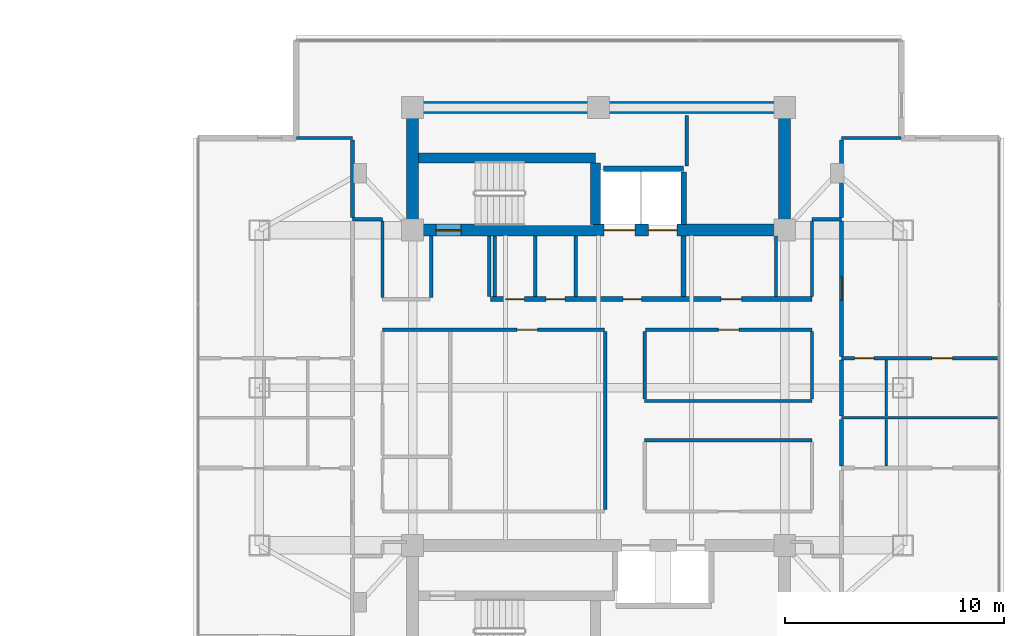
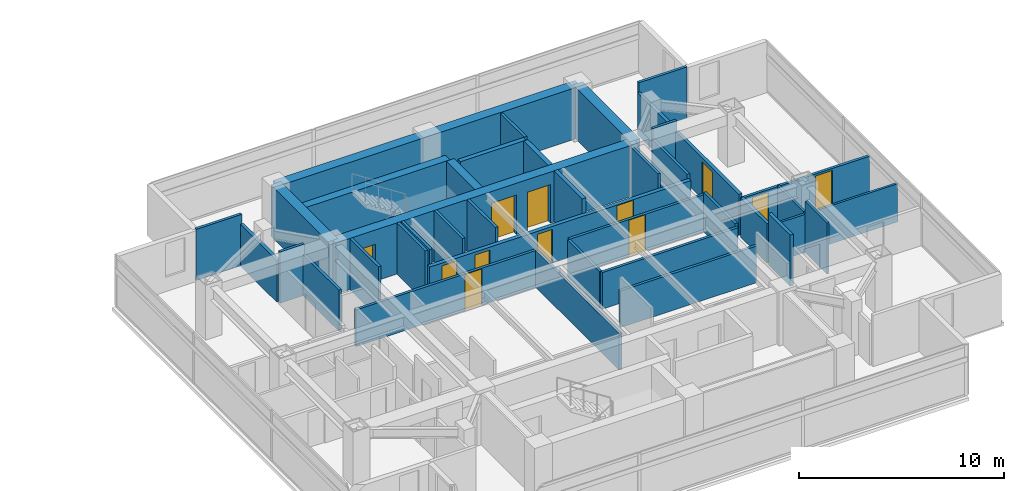
# One storey, part 18 of 25: 39 walls, 12 doors, 12 openings.
"""IFC4 building model written with IfcOpenShell, lengths in metres."""

import ifcopenshell
import ifcopenshell.guid

model = None  # the IFC model being written
_history = None  # IfcOwnerHistory: only IFC2X3 demands one
_inside = {}  # id of a spatial element -> (the spatial element, [elements in it])
_under = {}  # id of a project, library or spatial element -> (it, [spatial elements below it])
_declared = {}  # id of a project -> (the project, [libraries it declares])
_typed = {}  # id of a type object -> (the type object, [elements of that type])
_made_of = {}  # id of a material, layer set ... -> (it, [elements and type objects made of it])


def new_model(schema):
    """Start an empty IFC model of exactly this schema.

    Asked for "IFC4X3", IfcOpenShell would pick the latest addendum, in which some entities
    have other attributes; the version numbers below select the first issue.
    IFC2X3 requires an IfcOwnerHistory on every rooted entity: one is made here for all.
    """
    global model, _history
    if schema == "IFC4X3":
        model = ifcopenshell.file(schema_version=(4, 3, 0, 0))
    else:
        model = ifcopenshell.file(schema=schema)
    _inside.clear()
    _under.clear()
    _declared.clear()
    _typed.clear()
    _made_of.clear()
    _history = None
    if model.schema == "IFC2X3":
        org = make("IfcOrganization", Name="unknown")
        user = make(
            "IfcPersonAndOrganization",
            ThePerson=make("IfcPerson", FamilyName="unknown"),
            TheOrganization=org,
        )
        app = make(
            "IfcApplication",
            ApplicationDeveloper=org,
            Version="unknown",
            ApplicationFullName="unknown",
            ApplicationIdentifier="unknown",
        )
        _history = make(
            "IfcOwnerHistory",
            OwningUser=user,
            OwningApplication=app,
            ChangeAction="ADDED",
            CreationDate=0,
        )
    return model


def make(cls, **values):
    """One entity of the class cls with the attributes given. An attribute that is None is left unset."""
    return model.create_entity(
        cls, **{name: value for name, value in values.items() if value is not None}
    )


def rooted(cls, **values):
    """An entity with a GlobalId (a new one), such as an element, a storey or a relation."""
    return make(cls, GlobalId=ifcopenshell.guid.new(), OwnerHistory=_history, **values)


def si_unit(unit_type, name, prefix=None):
    """IfcSIUnit, for example si_unit("LENGTHUNIT", "METRE", prefix="MILLI")."""
    return make("IfcSIUnit", UnitType=unit_type, Prefix=prefix, Name=name)


def assignment(units):
    """IfcUnitAssignment: the units of a project."""
    return None if units is None else make("IfcUnitAssignment", Units=units)


def point(xyz):
    """IfcCartesianPoint."""
    return None if xyz is None else make("IfcCartesianPoint", Coordinates=xyz)


def direction(xyz):
    """IfcDirection."""
    return None if xyz is None else make("IfcDirection", DirectionRatios=xyz)


def frame(location, z_axis=None, x_axis=None):
    """IfcAxis2Placement3D, a coordinate frame: its origin and axes. An axis left out is left unset."""
    return make(
        "IfcAxis2Placement3D",
        Location=point(location),
        Axis=direction(z_axis),
        RefDirection=direction(x_axis),
    )


def frame_2d(location, x_axis=None):
    """IfcAxis2Placement2D, a coordinate frame in the plane: its origin and x axis."""
    return make(
        "IfcAxis2Placement2D", Location=point(location), RefDirection=direction(x_axis)
    )


def origin():
    """The frame at (0, 0, 0) with its axes left unset."""
    return frame((0.0, 0.0, 0.0))


def place(relative_to, where):
    """IfcLocalPlacement: puts the frame where relative to a parent placement (None: the world)."""
    return make(
        "IfcLocalPlacement", PlacementRelTo=relative_to, RelativePlacement=where
    )


def context(
    kind, dimensions, precision=None, world=None, true_north=None, identifier=None
):
    """IfcGeometricRepresentationContext, for example the 3D "Model" context."""
    return make(
        "IfcGeometricRepresentationContext",
        ContextIdentifier=identifier,
        ContextType=kind,
        CoordinateSpaceDimension=dimensions,
        Precision=precision,
        WorldCoordinateSystem=world,
        TrueNorth=true_north,
    )


def subcontext(parent, identifier, kind, view, scale=None):
    """IfcGeometricRepresentationSubContext, for example "Body" below "Model"."""
    return make(
        "IfcGeometricRepresentationSubContext",
        ContextIdentifier=identifier,
        ContextType=kind,
        ParentContext=parent,
        TargetScale=scale,
        TargetView=view,
    )


def project(units=None, contexts=None):
    """IfcProject with its units and contexts."""
    return rooted(
        "IfcProject",
        Name="project",
        RepresentationContexts=contexts,
        UnitsInContext=assignment(units),
    )


def spatial(cls, under=None, at=None, **own):
    """A site, building, storey or space (cls), placed at a placement, below another one or the project."""
    s = rooted(cls, ObjectPlacement=at, **own)
    if under is not None:
        _under.setdefault(under.id(), (under, []))[1].append(s)
    return s


def profile(cls, at=None, kind="AREA", **sizes):
    """A parametric profile (cls). Its sizes go by their IFC names, for example OverallWidth=200.0."""
    return make(cls, ProfileType=kind, Position=at, **sizes)


def rectangle(**sizes):
    """IfcRectangleProfileDef."""
    return profile("IfcRectangleProfileDef", **sizes)


def extrude(swept, where, along, depth):
    """IfcExtrudedAreaSolid: the profile swept, set in the frame where, extruded along a direction by depth."""
    return make(
        "IfcExtrudedAreaSolid",
        SweptArea=swept,
        Position=where,
        ExtrudedDirection=direction(along),
        Depth=depth,
    )


def shape(context_of_items, identifier, shape_type, items):
    """IfcShapeRepresentation: the items that make up one representation, for example the "Body"."""
    return make(
        "IfcShapeRepresentation",
        ContextOfItems=context_of_items,
        RepresentationIdentifier=identifier,
        RepresentationType=shape_type,
        Items=items,
    )


def material(Name=None, Category=None):
    """IfcMaterial."""
    return make("IfcMaterial", Name=Name, Category=Category)


def layer(
    of_material, thickness, ventilated=None, Name=None, Category=None, Priority=None
):
    """IfcMaterialLayer: one layer of a wall or slab, of a material (None: an air gap)."""
    return make(
        "IfcMaterialLayer",
        Material=of_material,
        LayerThickness=thickness,
        IsVentilated=ventilated,
        Name=Name,
        Category=Category,
        Priority=Priority,
    )


def layer_set(layers, Name=None):
    """IfcMaterialLayerSet."""
    return make("IfcMaterialLayerSet", MaterialLayers=layers, LayerSetName=Name)


def made_of(thing, what):
    """Note that an element or type object is made of a material, layer set ...; save() writes the relation."""
    if what is not None:
        _made_of.setdefault(what.id(), (what, []))[1].append(thing)
    return thing


def type_object(cls, material=None, **own):
    """A type object (cls), such as IfcWallType, which elements share."""
    return made_of(rooted(cls, **own), material)


def element(
    cls,
    number,
    at=None,
    inside=None,
    cuts=None,
    type_object=None,
    material=None,
    context=None,
    identifier="Body",
    shape_type=None,
    held_by="IfcProductDefinitionShape",
    body=None,
    shapes=None,
    **own,
):
    """One element of the class cls, such as IfcWall. Its Tag is "e" and its number.

    at: its placement. inside: the storey or other place that contains it. cuts: it is an
    opening in that element (IfcRelVoidsElement). A single representation is given by context,
    identifier, shape_type and body (its items); several are given by shapes. held_by: the class
    of the entity that holds the representations. save() writes the other relations.
    """
    e = rooted(cls, Tag="e%d" % number, ObjectPlacement=at, **own)
    if body is not None:
        shapes = [shape(context, identifier, shape_type, body)]
    if shapes is not None:
        e.Representation = make(held_by, Representations=shapes)
    if inside is not None:
        _inside.setdefault(inside.id(), (inside, []))[1].append(e)
    if cuts is not None:
        rooted(
            "IfcRelVoidsElement", RelatingBuildingElement=cuts, RelatedOpeningElement=e
        )
    if type_object is not None:
        _typed.setdefault(type_object.id(), (type_object, []))[1].append(e)
    return made_of(e, material)


def fill(opening, filler):
    """IfcRelFillsElement: the door or window that sits in an opening."""
    return rooted(
        "IfcRelFillsElement",
        RelatingOpeningElement=opening,
        RelatedBuildingElement=filler,
    )


def aggregate(whole, parts):
    """IfcRelAggregates: a whole, such as a stair, and the parts it consists of."""
    return rooted("IfcRelAggregates", RelatingObject=whole, RelatedObjects=parts)


def save(model, path):
    """Write the relations noted so far, then the file.

    IfcRelAggregates (storeys below a building ...), IfcRelContainedInSpatialStructure (elements
    in a storey), IfcRelDefinesByType, IfcRelAssociatesMaterial and IfcRelDeclares: one each for
    every whole, place, type object, material and project.
    """
    for whole, parts in _under.values():
        aggregate(whole, parts)
    for where, things in _inside.values():
        rooted(
            "IfcRelContainedInSpatialStructure",
            RelatedElements=things,
            RelatingStructure=where,
        )
    for kind, things in _typed.values():
        rooted("IfcRelDefinesByType", RelatedObjects=things, RelatingType=kind)
    for what, things in _made_of.values():
        rooted("IfcRelAssociatesMaterial", RelatedObjects=things, RelatingMaterial=what)
    for by, libraries in _declared.values():
        rooted("IfcRelDeclares", RelatingContext=by, RelatedDefinitions=libraries)
    model.write(path)


model = new_model("IFC4")

# Units and contexts
model_context = context("Model", 3, precision=1e-05, world=origin(), true_north=direction((0.0, 1.0)))
body_context = subcontext(model_context, "Body", "Model", "MODEL_VIEW")
ifc_project = project(units=[si_unit("LENGTHUNIT", "METRE"), si_unit("AREAUNIT", "SQUARE_METRE"), si_unit("VOLUMEUNIT", "CUBIC_METRE"), si_unit("PLANEANGLEUNIT", "RADIAN"), si_unit("MASSUNIT", "GRAM", prefix="KILO")], contexts=[model_context])

# Site, building, storey
site_placement = place(None, origin())
site = spatial("IfcSite", under=ifc_project, at=site_placement, CompositionType="ELEMENT")
building_placement = place(site_placement, origin())
building = spatial("IfcBuilding", under=site, at=building_placement, Name="Mirazonda Arch Towers", CompositionType="ELEMENT")
storey_placement = place(building_placement, frame((0.0, 0.0, 177.14990234375)))
storey = spatial("IfcBuildingStorey", under=building, at=storey_placement, Name="L50", CompositionType="ELEMENT", Elevation=177.14990234375)

# Walls
ifc_material_1 = material(Name="Concrete C50/60", Category="concrete")
ifc_layer_1 = layer(ifc_material_1, 0.449951171875, Name="WALL-CORE-450")
ifc_layer_set_1 = layer_set([ifc_layer_1], Name="Concrete C50/60")
wall_type_1 = type_object("IfcWallType", Name="WALL-CORE-450", PredefinedType="SHEAR", material=ifc_layer_set_1)
wall_1_placement = place(storey_placement, frame((68.27001953125, 38.5, 0.0), z_axis=(0.0, 0.0, 1.0), x_axis=(1.0, 0.0, 0.0)))
element("IfcWall", 1, at=wall_1_placement, inside=storey, type_object=wall_type_1, Name="L50 Stair Core Shear Wall 056", PredefinedType="SHEAR", context=body_context, shape_type="SweptSolid", body=[
    extrude(rectangle(XDim=8.090087890625, YDim=0.449951171875, at=frame_2d((4.044921875, 0.0))), origin(), (0.0, 0.0, 1.0), 3.050048828125),
])
wall_2_placement = place(storey_placement, frame((76.360107421875, 35.469970703125, 0.0), z_axis=(0.0, 0.0, 1.0), x_axis=(0.0, 1.0, 0.0)))
element("IfcWall", 2, at=wall_2_placement, inside=storey, type_object=wall_type_1, Name="L50 Stair Core Shear Wall 159", PredefinedType="SHEAR", context=body_context, shape_type="SweptSolid", body=[
    extrude(rectangle(XDim=2.794921875, YDim=0.449951171875, at=frame_2d((1.3974609375, 0.0))), origin(), (0.0, 0.0, 1.0), 3.050048828125),
])
ifc_layer_2 = layer(ifc_material_1, 0.550048828125, Name="WALL-CORE-550")
ifc_layer_set_2 = layer_set([ifc_layer_2], Name="Concrete C50/60")
wall_type_2 = type_object("IfcWallType", Name="WALL-CORE-550", PredefinedType="SHEAR", material=ifc_layer_set_2)
wall_3_placement = place(storey_placement, frame((68.0, 40.800048828125, 0.0), z_axis=(0.0, 0.0, 1.0), x_axis=(1.0, 0.0, 0.0)))
element("IfcWall", 3, at=wall_3_placement, inside=storey, type_object=wall_type_2, Name="L50 T2N-N Core Shear Wall", PredefinedType="SHEAR", context=body_context, shape_type="SweptSolid", body=[
    extrude(rectangle(XDim=17.0, YDim=0.550048828125, at=frame_2d((8.5, 0.0))), origin(), (0.0, 0.0, 1.0), 3.050048828125),
])
for number, where, z_axis, x_axis, name in (
    (4, (68.0, 35.199951171875, 0.0), (0.0, 0.0, 1.0), (0.0, 1.0, 0.0), "L50 T2N-W Core Shear Wall"),
    (5, (85.0, 35.199951171875, 0.0), (0.0, 0.0, 1.0), (0.0, 1.0, 0.0), "L50 T2N-E Core Shear Wall"),
):
    element("IfcWall", number, at=place(storey_placement, frame(where, z_axis=z_axis, x_axis=x_axis)), inside=storey, type_object=wall_type_2, Name=name, PredefinedType="SHEAR", context=body_context, shape_type="SweptSolid", body=[
        extrude(rectangle(XDim=5.60009765625, YDim=0.550048828125, at=frame_2d((2.800048828125, 0.0))), origin(), (0.0, 0.0, 1.0), 3.050048828125),
    ])

# Wall, openings, doors
wall_4_placement = place(storey_placement, frame((68.0, 35.199951171875, 0.0), z_axis=(0.0, 0.0, 1.0), x_axis=(1.0, 0.0, 0.0)))
wall_4 = element("IfcWall", 6, at=wall_4_placement, inside=storey, type_object=wall_type_2, Name="L50 T2N-S Core Shear Wall", PredefinedType="SHEAR", context=body_context, shape_type="SweptSolid", body=[
    extrude(rectangle(XDim=17.0, YDim=0.550048828125, at=frame_2d((8.5, 0.0))), origin(), (0.0, 0.0, 1.0), 3.050048828125),
])
opening_1_placement = place(wall_4_placement, frame((1.06005859375, 0.0, 0.0)))
opening_1 = element("IfcOpeningElement", 7, at=opening_1_placement, cuts=wall_4, Name="Opening DR-135", PredefinedType="OPENING", context=body_context, shape_type="SweptSolid", body=[
    extrude(rectangle(XDim=1.14990234375, YDim=2.199951171875, at=frame_2d((0.574951171875, 1.10009765625))), frame((0.0, 0.284912109375, 0.0), z_axis=(0.0, -1.0, 0.0), x_axis=(1.0, 0.0, 0.0)), (0.0, 0.0, 1.0), 0.570068359375),
])
opening_2_placement = place(wall_4_placement, frame((8.75, 0.0, 0.0)))
opening_2 = element("IfcOpeningElement", 8, at=opening_2_placement, cuts=wall_4, Name="Opening LD-112", PredefinedType="OPENING", context=body_context, shape_type="SweptSolid", body=[
    extrude(rectangle(XDim=1.39990234375, YDim=2.35009765625, at=frame_2d((0.699951171875, 1.175048828125))), frame((0.0, 0.284912109375, 0.0), z_axis=(0.0, -1.0, 0.0), x_axis=(1.0, 0.0, 0.0)), (0.0, 0.0, 1.0), 0.570068359375),
])
opening_3_placement = place(wall_4_placement, frame((10.77001953125, 0.0, 0.0)))
opening_3 = element("IfcOpeningElement", 9, at=opening_3_placement, cuts=wall_4, Name="Opening LD-111", PredefinedType="OPENING", context=body_context, shape_type="SweptSolid", body=[
    extrude(rectangle(XDim=1.300048828125, YDim=2.300048828125, at=frame_2d((0.64990234375, 1.14990234375))), frame((0.0, 0.284912109375, 0.0), z_axis=(0.0, -1.0, 0.0), x_axis=(1.0, 0.0, 0.0)), (0.0, 0.0, 1.0), 0.570068359375),
])
ifc_material_2 = material(Name="Architectural Brushed Steel S355", Category="steel")
door_type_1 = type_object("IfcDoorType", Name="DOOR-LIFT-FFL-1400", OperationType="NOTDEFINED", PredefinedType="DOOR", material=ifc_material_2)
door_1_placement = place(opening_2_placement, origin())
door_1 = element("IfcDoor", 10, at=door_1_placement, inside=storey, type_object=door_type_1, Name="L50 Lift Landing Sliding Door FFL-T2", OperationType="DOUBLE_DOOR_SLIDING", OverallHeight=2.35009765625, OverallWidth=1.39990234375, PredefinedType="DOOR", context=body_context, shape_type="SweptSolid", body=[
    extrude(rectangle(XDim=1.39990234375, YDim=2.35009765625, at=frame_2d((0.699951171875, 1.175048828125))), frame((0.0, 0.02490234375, 0.0), z_axis=(0.0, -1.0, 0.0), x_axis=(1.0, 0.0, 0.0)), (0.0, 0.0, 1.0), 0.050048828125),
])
fill(opening_2, door_1)
door_type_2 = type_object("IfcDoorType", Name="DOOR-LIFT-LAND-1300", OperationType="NOTDEFINED", PredefinedType="DOOR", material=ifc_material_2)
door_2_placement = place(opening_3_placement, origin())
door_2 = element("IfcDoor", 11, at=door_2_placement, inside=storey, type_object=door_type_2, Name="L50 Lift Landing Sliding Door SVL-T2", OperationType="DOUBLE_DOOR_SLIDING", OverallHeight=2.300048828125, OverallWidth=1.300048828125, PredefinedType="DOOR", context=body_context, shape_type="SweptSolid", body=[
    extrude(rectangle(XDim=1.300048828125, YDim=2.300048828125, at=frame_2d((0.64990234375, 1.14990234375))), frame((0.0, 0.02490234375, 0.0), z_axis=(0.0, -1.0, 0.0), x_axis=(1.0, 0.0, 0.0)), (0.0, 0.0, 1.0), 0.050048828125),
])
fill(opening_3, door_2)
door_type_3 = type_object("IfcDoorType", Name="DOOR-STAIR-FD90-1150", OperationType="NOTDEFINED", PredefinedType="DOOR", material=ifc_material_2)
door_3_placement = place(opening_1_placement, origin())
door_3 = element("IfcDoor", 12, at=door_3_placement, inside=storey, type_object=door_type_3, Name="L50 East Protected Stair North Door", OperationType="SINGLE_SWING_LEFT", OverallHeight=2.199951171875, OverallWidth=1.14990234375, PredefinedType="DOOR", context=body_context, shape_type="SweptSolid", body=[
    extrude(rectangle(XDim=1.14990234375, YDim=2.199951171875, at=frame_2d((0.574951171875, 1.10009765625))), frame((0.0, 0.02490234375, 0.0), z_axis=(0.0, -1.0, 0.0), x_axis=(1.0, 0.0, 0.0)), (0.0, 0.0, 1.0), 0.050048828125),
])
fill(opening_1, door_3)

ifc_material_3 = material(Name="Concrete C40/50", Category="concrete")
ifc_layer_3 = layer(ifc_material_3, 0.219970703125, Name="WALL-FFL-220")
ifc_layer_set_3 = layer_set([ifc_layer_3], Name="Concrete C40/50")
wall_type_3 = type_object("IfcWallType", Name="WALL-FFL-220", PredefinedType="SOLIDWALL", material=ifc_layer_set_3)
wall_5_placement = place(storey_placement, frame((71.550048828125, 32.050048828125, 0.0), z_axis=(0.0, 0.0, 1.0), x_axis=(1.0, 0.0, 0.0)))
wall_5 = element("IfcWall", 13, at=wall_5_placement, inside=storey, type_object=wall_type_3, Name="L50 Interior Partition 045", PredefinedType="SOLIDWALL", context=body_context, shape_type="SweptSolid", body=[
    extrude(rectangle(XDim=14.699951171875, YDim=0.219970703125, at=frame_2d((7.35009765625, 0.0))), origin(), (0.0, 0.0, 1.0), 2.18603515625),
])
opening_4_placement = place(wall_5_placement, frame((6.06494140625, 0.0, 0.0)))
opening_4 = element("IfcOpeningElement", 14, at=opening_4_placement, cuts=wall_5, Name="Opening DR-128", PredefinedType="OPENING", context=body_context, shape_type="SweptSolid", body=[
    extrude(rectangle(XDim=0.85009765625, YDim=2.010009765625, at=frame_2d((0.425048828125, 1.0048828125))), frame((0.0, 0.119873046875, 0.0), z_axis=(0.0, -1.0, 0.0), x_axis=(1.0, 0.0, 0.0)), (0.0, 0.0, 1.0), 0.239990234375),
])
opening_5_placement = place(wall_5_placement, frame((10.534912109375, 0.0, 0.0)))
opening_5 = element("IfcOpeningElement", 15, at=opening_5_placement, cuts=wall_5, Name="Opening DR-104", PredefinedType="OPENING", context=body_context, shape_type="SweptSolid", body=[
    extrude(rectangle(XDim=0.949951171875, YDim=2.14990234375, at=frame_2d((0.47509765625, 1.074951171875))), frame((0.0, 0.119873046875, 0.0), z_axis=(0.0, -1.0, 0.0), x_axis=(1.0, 0.0, 0.0)), (0.0, 0.0, 1.0), 0.239990234375),
])
opening_6_placement = place(wall_5_placement, frame((0.699951171875, 0.0, 0.0)))
opening_6 = element("IfcOpeningElement", 16, at=opening_6_placement, cuts=wall_5, Name="Opening DR-128", PredefinedType="OPENING", context=body_context, shape_type="SweptSolid", body=[
    extrude(rectangle(XDim=0.85009765625, YDim=2.010009765625, at=frame_2d((0.425048828125, 1.0048828125))), frame((0.0, 0.119873046875, 0.0), z_axis=(0.0, -1.0, 0.0), x_axis=(1.0, 0.0, 0.0)), (0.0, 0.0, 1.0), 0.239990234375),
])
opening_7_placement = place(wall_5_placement, frame((2.550048828125, 0.0, 0.0)))
opening_7 = element("IfcOpeningElement", 17, at=opening_7_placement, cuts=wall_5, Name="Opening DR-128", PredefinedType="OPENING", context=body_context, shape_type="SweptSolid", body=[
    extrude(rectangle(XDim=0.85009765625, YDim=2.010009765625, at=frame_2d((0.425048828125, 1.0048828125))), frame((0.0, 0.119873046875, 0.0), z_axis=(0.0, -1.0, 0.0), x_axis=(1.0, 0.0, 0.0)), (0.0, 0.0, 1.0), 0.239990234375),
])
door_type_4 = type_object("IfcDoorType", Name="DOOR-RISER-FD60-850", OperationType="NOTDEFINED", PredefinedType="DOOR", material=ifc_material_2)
door_4_placement = place(opening_4_placement, origin())
door_4 = element("IfcDoor", 18, at=door_4_placement, inside=storey, type_object=door_type_4, Name="L50 East Firefighting Lift Lobby Door", OperationType="SINGLE_SWING_RIGHT", OverallHeight=2.010009765625, OverallWidth=0.85009765625, PredefinedType="DOOR", context=body_context, shape_type="SweptSolid", body=[
    extrude(rectangle(XDim=0.85009765625, YDim=2.010009765625, at=frame_2d((0.425048828125, 1.0048828125))), frame((0.0, 0.02490234375, 0.0), z_axis=(0.0, -1.0, 0.0), x_axis=(1.0, 0.0, 0.0)), (0.0, 0.0, 1.0), 0.050048828125),
])
fill(opening_4, door_4)
door_5_placement = place(opening_6_placement, origin())
door_5 = element("IfcDoor", 19, at=door_5_placement, inside=storey, type_object=door_type_4, Name="L50 Tower 2 Electrical Room Door", OperationType="SINGLE_SWING_RIGHT", OverallHeight=2.010009765625, OverallWidth=0.85009765625, PredefinedType="DOOR", context=body_context, shape_type="SweptSolid", body=[
    extrude(rectangle(XDim=0.85009765625, YDim=2.010009765625, at=frame_2d((0.425048828125, 1.0048828125))), frame((0.0, 0.02490234375, 0.0), z_axis=(0.0, -1.0, 0.0), x_axis=(1.0, 0.0, 0.0)), (0.0, 0.0, 1.0), 0.050048828125),
])
fill(opening_6, door_5)
door_6_placement = place(opening_7_placement, origin())
door_6 = element("IfcDoor", 20, at=door_6_placement, inside=storey, type_object=door_type_4, Name="L50 Tower 2 Cleaners Store Door", OperationType="SINGLE_SWING_LEFT", OverallHeight=2.010009765625, OverallWidth=0.85009765625, PredefinedType="DOOR", context=body_context, shape_type="SweptSolid", body=[
    extrude(rectangle(XDim=0.85009765625, YDim=2.010009765625, at=frame_2d((0.425048828125, 1.0048828125))), frame((0.0, 0.02490234375, 0.0), z_axis=(0.0, -1.0, 0.0), x_axis=(1.0, 0.0, 0.0)), (0.0, 0.0, 1.0), 0.050048828125),
])
fill(opening_7, door_6)
door_type_5 = type_object("IfcDoorType", Name="DOOR-ROOM-950", OperationType="NOTDEFINED", PredefinedType="DOOR", material=ifc_material_2)
door_7_placement = place(opening_5_placement, origin())
door_7 = element("IfcDoor", 21, at=door_7_placement, inside=storey, type_object=door_type_5, Name="L50 East Sky Reading Library Door", OperationType="SINGLE_SWING_LEFT", OverallHeight=2.14990234375, OverallWidth=0.949951171875, PredefinedType="DOOR", context=body_context, shape_type="SweptSolid", body=[
    extrude(rectangle(XDim=0.949951171875, YDim=2.14990234375, at=frame_2d((0.47509765625, 1.074951171875))), frame((0.0, 0.02490234375, 0.0), z_axis=(0.0, -1.0, 0.0), x_axis=(1.0, 0.0, 0.0)), (0.0, 0.0, 1.0), 0.050048828125),
])
fill(opening_5, door_7)

# Walls
wall_6_placement = place(storey_placement, frame((80.3798828125, 32.169921875, 0.0), z_axis=(0.0, 0.0, 1.0), x_axis=(0.0, 1.0, 0.0)))
element("IfcWall", 22, at=wall_6_placement, inside=storey, type_object=wall_type_3, Name="L50 Interior Partition 164", PredefinedType="SOLIDWALL", context=body_context, shape_type="SweptSolid", body=[
    extrude(rectangle(XDim=2.760009765625, YDim=0.219970703125, at=frame_2d((1.3798828125, 0.0))), origin(), (0.0, 0.0, 1.0), 3.050048828125),
])
ifc_material_4 = material(Name="Fire-Rated Gypsum Stud Partition")
ifc_layer_4 = layer(ifc_material_4, 0.14990234375, Name="WALL-PART-CORR-150")
ifc_layer_set_4 = layer_set([ifc_layer_4], Name="Fire-Rated Gypsum Stud Partition")
wall_type_4 = type_object("IfcWallType", Name="WALL-PART-CORR-150", PredefinedType="PARTITIONING", material=ifc_layer_set_4)
for number, where, z_axis, x_axis, name in (
    (23, (78.60009765625, 25.60009765625, 0.0), (0.0, 0.0, 1.0), (1.0, 0.0, 0.0), "L50 Interior Partition 031"),
    (24, (78.60009765625, 27.39990234375, 0.0), (0.0, 0.0, 1.0), (1.0, 0.0, 0.0), "L50 Interior Partition 035"),
):
    element("IfcWall", number, at=place(storey_placement, frame(where, z_axis=z_axis, x_axis=x_axis)), inside=storey, type_object=wall_type_4, Name=name, PredefinedType="PARTITIONING", context=body_context, shape_type="SweptSolid", body=[
        extrude(rectangle(XDim=7.64990234375, YDim=0.14990234375, at=frame_2d((3.824951171875, 0.0))), origin(), (0.0, 0.0, 1.0), 2.18603515625),
    ])

# Wall, openings, doors
wall_7_placement = place(storey_placement, frame((87.60009765625, 29.35205078125, 0.0), z_axis=(0.0, 0.0, 1.0), x_axis=(1.0, 0.0, 0.0)))
wall_7 = element("IfcWall", 25, at=wall_7_placement, inside=storey, type_object=wall_type_4, Name="L50 Interior Partition 039", PredefinedType="PARTITIONING", context=body_context, shape_type="SweptSolid", body=[
    extrude(rectangle(XDim=7.198974609375, YDim=0.14990234375, at=frame_2d((3.599609375, 0.0))), origin(), (0.0, 0.0, 1.0), 2.26904296875),
])
opening_8_placement = place(wall_7_placement, frame((4.12451171875, 0.0, 0.0)))
opening_8 = element("IfcOpeningElement", 26, at=opening_8_placement, cuts=wall_7, Name="Opening DR-104", PredefinedType="OPENING", context=body_context, shape_type="SweptSolid", body=[
    extrude(rectangle(XDim=0.949951171875, YDim=2.14990234375, at=frame_2d((0.47509765625, 1.074951171875))), frame((0.0, 0.0849609375, 0.0), z_axis=(0.0, -1.0, 0.0), x_axis=(1.0, 0.0, 0.0)), (0.0, 0.0, 1.0), 0.169921875),
])
opening_9_placement = place(wall_7_placement, frame((0.590087890625, 0.0, 0.0)))
opening_9 = element("IfcOpeningElement", 27, at=opening_9_placement, cuts=wall_7, Name="Opening DR-120", PredefinedType="OPENING", context=body_context, shape_type="SweptSolid", body=[
    extrude(rectangle(XDim=0.89990234375, YDim=2.10009765625, at=frame_2d((0.449951171875, 1.050048828125))), frame((0.0, 0.0849609375, 0.0), z_axis=(0.0, -1.0, 0.0), x_axis=(1.0, 0.0, 0.0)), (0.0, 0.0, 1.0), 0.169921875),
])
door_8_placement = place(opening_8_placement, origin())
door_8 = element("IfcDoor", 28, at=door_8_placement, inside=storey, type_object=door_type_5, Name="L50 Studio 2 Galley Kitchen Door", OperationType="SINGLE_SWING_LEFT", OverallHeight=2.14990234375, OverallWidth=0.949951171875, PredefinedType="DOOR", context=body_context, shape_type="SweptSolid", body=[
    extrude(rectangle(XDim=0.949951171875, YDim=2.14990234375, at=frame_2d((0.47509765625, 1.074951171875))), frame((0.0, 0.02490234375, 0.0), z_axis=(0.0, -1.0, 0.0), x_axis=(1.0, 0.0, 0.0)), (0.0, 0.0, 1.0), 0.050048828125),
])
fill(opening_8, door_8)
door_type_6 = type_object("IfcDoorType", Name="DOOR-WC-900", OperationType="NOTDEFINED", PredefinedType="DOOR", material=ifc_material_2)
door_9_placement = place(opening_9_placement, origin())
door_9 = element("IfcDoor", 29, at=door_9_placement, inside=storey, type_object=door_type_6, Name="L50 Studio 2 Bathroom Door", OperationType="SINGLE_SWING_RIGHT", OverallHeight=2.10009765625, OverallWidth=0.89990234375, PredefinedType="DOOR", context=body_context, shape_type="SweptSolid", body=[
    extrude(rectangle(XDim=0.89990234375, YDim=2.10009765625, at=frame_2d((0.449951171875, 1.050048828125))), frame((0.0, 0.02490234375, 0.0), z_axis=(0.0, -1.0, 0.0), x_axis=(1.0, 0.0, 0.0)), (0.0, 0.0, 1.0), 0.050048828125),
])
fill(opening_9, door_9)

# Wall, opening, door
wall_8_placement = place(storey_placement, frame((66.6201171875, 30.64990234375, 0.0), z_axis=(0.0, 0.0, 1.0), x_axis=(1.0, 0.0, 0.0)))
wall_8 = element("IfcWall", 30, at=wall_8_placement, inside=storey, type_object=wall_type_4, Name="L50 Interior Partition 042", PredefinedType="PARTITIONING", context=body_context, shape_type="SweptSolid", body=[
    extrude(rectangle(XDim=10.139892578125, YDim=0.14990234375, at=frame_2d((5.06982421875, 0.0))), origin(), (0.0, 0.0, 1.0), 2.18603515625),
])
opening_10_placement = place(wall_8_placement, frame((6.139892578125, 0.0, 0.0)))
opening_10 = element("IfcOpeningElement", 31, at=opening_10_placement, cuts=wall_8, Name="Opening DR-104", PredefinedType="OPENING", context=body_context, shape_type="SweptSolid", body=[
    extrude(rectangle(XDim=0.949951171875, YDim=2.14990234375, at=frame_2d((0.47509765625, 1.074951171875))), frame((0.0, 0.0849609375, 0.0), z_axis=(0.0, -1.0, 0.0), x_axis=(1.0, 0.0, 0.0)), (0.0, 0.0, 1.0), 0.169921875),
])
door_10_placement = place(opening_10_placement, origin())
door_10 = element("IfcDoor", 32, at=door_10_placement, inside=storey, type_object=door_type_5, Name="L50 L50 East Courtyard Study Door", OperationType="SINGLE_SWING_RIGHT", OverallHeight=2.14990234375, OverallWidth=0.949951171875, PredefinedType="DOOR", context=body_context, shape_type="SweptSolid", body=[
    extrude(rectangle(XDim=0.949951171875, YDim=2.14990234375, at=frame_2d((0.47509765625, 1.074951171875))), frame((0.0, 0.02490234375, 0.0), z_axis=(0.0, -1.0, 0.0), x_axis=(1.0, 0.0, 0.0)), (0.0, 0.0, 1.0), 0.050048828125),
])
fill(opening_10, door_10)

wall_9_placement = place(storey_placement, frame((78.639892578125, 30.64990234375, 0.0), z_axis=(0.0, 0.0, 1.0), x_axis=(1.0, 0.0, 0.0)))
wall_9 = element("IfcWall", 33, at=wall_9_placement, inside=storey, type_object=wall_type_4, Name="L50 Interior Partition 043", PredefinedType="PARTITIONING", context=body_context, shape_type="SweptSolid", body=[
    extrude(rectangle(XDim=7.610107421875, YDim=0.14990234375, at=frame_2d((3.80517578125, 0.0))), origin(), (0.0, 0.0, 1.0), 2.18603515625),
])
opening_11_placement = place(wall_9_placement, frame((3.330078125, 0.0, 0.0)))
opening_11 = element("IfcOpeningElement", 34, at=opening_11_placement, cuts=wall_9, Name="Opening DR-104", PredefinedType="OPENING", context=body_context, shape_type="SweptSolid", body=[
    extrude(rectangle(XDim=0.949951171875, YDim=2.14990234375, at=frame_2d((0.47509765625, 1.074951171875))), frame((0.0, 0.0849609375, 0.0), z_axis=(0.0, -1.0, 0.0), x_axis=(1.0, 0.0, 0.0)), (0.0, 0.0, 1.0), 0.169921875),
])
door_11_placement = place(opening_11_placement, origin())
door_11 = element("IfcDoor", 35, at=door_11_placement, inside=storey, type_object=door_type_5, Name="L50 L50 Tower 2 North-East Study Door", OperationType="SINGLE_SWING_RIGHT", OverallHeight=2.14990234375, OverallWidth=0.949951171875, PredefinedType="DOOR", context=body_context, shape_type="SweptSolid", body=[
    extrude(rectangle(XDim=0.949951171875, YDim=2.14990234375, at=frame_2d((0.47509765625, 1.074951171875))), frame((0.0, 0.02490234375, 0.0), z_axis=(0.0, -1.0, 0.0), x_axis=(1.0, 0.0, 0.0)), (0.0, 0.0, 1.0), 0.050048828125),
])
fill(opening_11, door_11)

# Walls
wall_10_placement = place(storey_placement, frame((65.25, 35.699951171875, 0.0), z_axis=(0.0, 0.0, 1.0), x_axis=(1.0, 0.0, 0.0)))
element("IfcWall", 36, at=wall_10_placement, inside=storey, type_object=wall_type_4, Name="L50 Interior Partition 051", PredefinedType="PARTITIONING", context=body_context, shape_type="SweptSolid", body=[
    extrude(rectangle(XDim=1.3701171875, YDim=0.14990234375, at=frame_2d((0.68505859375, 0.0))), origin(), (0.0, 0.0, 1.0), 3.050048828125),
])
wall_11_placement = place(storey_placement, frame((86.25, 35.699951171875, 0.0), z_axis=(0.0, 0.0, 1.0), x_axis=(1.0, 0.0, 0.0)))
element("IfcWall", 37, at=wall_11_placement, inside=storey, type_object=wall_type_4, Name="L50 Interior Partition 052", PredefinedType="PARTITIONING", context=body_context, shape_type="SweptSolid", body=[
    extrude(rectangle(XDim=1.35009765625, YDim=0.14990234375, at=frame_2d((0.675048828125, 0.0))), origin(), (0.0, 0.0, 1.0), 3.050048828125),
])
wall_12_placement = place(storey_placement, frame((62.686767578125, 39.408935546875, 0.0), z_axis=(0.0, 0.0, 1.0), x_axis=(1.0, 0.0, 0.0)))
element("IfcWall", 38, at=wall_12_placement, inside=storey, type_object=wall_type_4, Name="L50 Interior Partition 057", PredefinedType="PARTITIONING", context=body_context, shape_type="SweptSolid", body=[
    extrude(rectangle(XDim=2.563232421875, YDim=0.14990234375, at=frame_2d((1.28173828125, 0.0))), origin(), (0.0, 0.0, 1.0), 3.050048828125),
])
wall_13_placement = place(storey_placement, frame((87.60009765625, 39.408935546875, 0.0), z_axis=(0.0, 0.0, 1.0), x_axis=(1.0, 0.0, 0.0)))
element("IfcWall", 39, at=wall_13_placement, inside=storey, type_object=wall_type_4, Name="L50 Interior Partition 058", PredefinedType="PARTITIONING", context=body_context, shape_type="SweptSolid", body=[
    extrude(rectangle(XDim=2.713134765625, YDim=0.14990234375, at=frame_2d((1.3564453125, 0.0))), origin(), (0.0, 0.0, 1.0), 3.050048828125),
])
wall_14_placement = place(storey_placement, frame((66.6201171875, 32.135009765625, 0.0), z_axis=(0.0, 0.0, 1.0), x_axis=(0.0, 1.0, 0.0)))
element("IfcWall", 40, at=wall_14_placement, inside=storey, type_object=wall_type_4, Name="L50 Interior Partition 150", PredefinedType="PARTITIONING", context=body_context, shape_type="SweptSolid", body=[
    extrude(rectangle(XDim=3.47998046875, YDim=0.14990234375, at=frame_2d((1.739990234375, 0.0))), origin(), (0.0, 0.0, 1.0), 2.442138671875),
])
wall_15_placement = place(storey_placement, frame((68.85009765625, 32.135009765625, 0.0), z_axis=(0.0, 0.0, 1.0), x_axis=(0.0, 1.0, 0.0)))
element("IfcWall", 41, at=wall_15_placement, inside=storey, type_object=wall_type_4, Name="L50 Interior Partition 151", PredefinedType="PARTITIONING", context=body_context, shape_type="SweptSolid", body=[
    extrude(rectangle(XDim=2.794921875, YDim=0.14990234375, at=frame_2d((1.3974609375, 0.0))), origin(), (0.0, 0.0, 1.0), 3.050048828125),
])
for number, where, z_axis, x_axis, name in (
    (42, (71.5, 32.169921875, 0.0), (0.0, 0.0, 1.0), (0.0, 1.0, 0.0), "L50 Interior Partition 154"),
    (43, (71.75, 32.169921875, 0.0), (0.0, 0.0, 1.0), (0.0, 1.0, 0.0), "L50 Interior Partition 155"),
    (44, (73.60009765625, 32.169921875, 0.0), (0.0, 0.0, 1.0), (0.0, 1.0, 0.0), "L50 Interior Partition 156"),
    (45, (75.449951171875, 32.169921875, 0.0), (0.0, 0.0, 1.0), (0.0, 1.0, 0.0), "L50 Interior Partition 157"),
):
    element("IfcWall", number, at=place(storey_placement, frame(where, z_axis=z_axis, x_axis=x_axis)), inside=storey, type_object=wall_type_4, Name=name, PredefinedType="PARTITIONING", context=body_context, shape_type="SweptSolid", body=[
        extrude(rectangle(XDim=2.760009765625, YDim=0.14990234375, at=frame_2d((1.3798828125, 0.0))), origin(), (0.0, 0.0, 1.0), 3.050048828125),
    ])
wall_16_placement = place(storey_placement, frame((76.800048828125, 22.43505859375, 0.0), z_axis=(0.0, 0.0, 1.0), x_axis=(0.0, 1.0, 0.0)))
element("IfcWall", 46, at=wall_16_placement, inside=storey, type_object=wall_type_4, Name="L50 Interior Partition 160", PredefinedType="PARTITIONING", context=body_context, shape_type="SweptSolid", body=[
    extrude(rectangle(XDim=8.1298828125, YDim=0.14990234375, at=frame_2d((4.06494140625, 0.0))), origin(), (0.0, 0.0, 1.0), 2.18603515625),
])
wall_17_placement = place(storey_placement, frame((78.60009765625, 27.485107421875, 0.0), z_axis=(0.0, 0.0, 1.0), x_axis=(0.0, 1.0, 0.0)))
element("IfcWall", 47, at=wall_17_placement, inside=storey, type_object=wall_type_4, Name="L50 Interior Partition 163", PredefinedType="PARTITIONING", context=body_context, shape_type="SweptSolid", body=[
    extrude(rectangle(XDim=3.079833984375, YDim=0.14990234375, at=frame_2d((1.5400390625, 0.0))), origin(), (0.0, 0.0, 1.0), 2.18603515625),
])
wall_18_placement = place(storey_placement, frame((80.52001953125, 38.135009765625, 0.0), z_axis=(0.0, 0.0, 1.0), x_axis=(0.0, 1.0, 0.0)))
element("IfcWall", 48, at=wall_18_placement, inside=storey, type_object=wall_type_4, Name="L50 Interior Partition 166", PredefinedType="PARTITIONING", context=body_context, shape_type="SweptSolid", body=[
    extrude(rectangle(XDim=2.31494140625, YDim=0.14990234375, at=frame_2d((1.157470703125, 0.0))), origin(), (0.0, 0.0, 1.0), 3.050048828125),
])
wall_19_placement = place(storey_placement, frame((84.60009765625, 32.169921875, 0.0), z_axis=(0.0, 0.0, 1.0), x_axis=(0.0, 1.0, 0.0)))
element("IfcWall", 49, at=wall_19_placement, inside=storey, type_object=wall_type_4, Name="L50 Interior Partition 168", PredefinedType="PARTITIONING", context=body_context, shape_type="SweptSolid", body=[
    extrude(rectangle(XDim=2.760009765625, YDim=0.14990234375, at=frame_2d((1.3798828125, 0.0))), origin(), (0.0, 0.0, 1.0), 3.050048828125),
])
wall_20_placement = place(storey_placement, frame((86.25, 27.485107421875, 0.0), z_axis=(0.0, 0.0, 1.0), x_axis=(0.0, 1.0, 0.0)))
element("IfcWall", 50, at=wall_20_placement, inside=storey, type_object=wall_type_4, Name="L50 Interior Partition 171", PredefinedType="PARTITIONING", context=body_context, shape_type="SweptSolid", body=[
    extrude(rectangle(XDim=3.079833984375, YDim=0.14990234375, at=frame_2d((1.5400390625, 0.0))), origin(), (0.0, 0.0, 1.0), 2.34619140625),
])
wall_21_placement = place(storey_placement, frame((86.25, 32.169921875, 0.0), z_axis=(0.0, 0.0, 1.0), x_axis=(0.0, 1.0, 0.0)))
element("IfcWall", 51, at=wall_21_placement, inside=storey, type_object=wall_type_4, Name="L50 Interior Partition 172", PredefinedType="PARTITIONING", context=body_context, shape_type="SweptSolid", body=[
    extrude(rectangle(XDim=3.445068359375, YDim=0.14990234375, at=frame_2d((1.72265625, 0.0))), origin(), (0.0, 0.0, 1.0), 2.442138671875),
])
ifc_material_5 = material(Name="Fire-Rated Gypsum Twin-Stud Assembly")
ifc_layer_5 = layer(ifc_material_5, 0.179931640625, Name="WALL-PART-DEMISE-180")
ifc_layer_set_5 = layer_set([ifc_layer_5], Name="Fire-Rated Gypsum Twin-Stud Assembly")
wall_type_5 = type_object("IfcWallType", Name="WALL-PART-DEMISE-180", PredefinedType="PARTITIONING", material=ifc_layer_set_5)
wall_22_placement = place(storey_placement, frame((65.25, 35.784912109375, 0.0), z_axis=(0.0, 0.0, 1.0), x_axis=(0.0, 1.0, 0.0)))
element("IfcWall", 52, at=wall_22_placement, inside=storey, type_object=wall_type_5, Name="L50 Interior Partition 146", PredefinedType="PARTITIONING", context=body_context, shape_type="SweptSolid", body=[
    extrude(rectangle(XDim=3.5390625, YDim=0.179931640625, at=frame_2d((1.76953125, 0.0))), origin(), (0.0, 0.0, 1.0), 2.4931640625),
])
wall_23_placement = place(storey_placement, frame((87.60009765625, 24.431884765625, 0.0), z_axis=(0.0, 0.0, 1.0), x_axis=(0.0, 1.0, 0.0)))
element("IfcWall", 53, at=wall_23_placement, inside=storey, type_object=wall_type_5, Name="L50 Interior Partition 175", PredefinedType="PARTITIONING", context=body_context, shape_type="SweptSolid", body=[
    extrude(rectangle(XDim=2.127685546875, YDim=0.179931640625, at=frame_2d((1.06396484375, 0.0))), origin(), (0.0, 0.0, 1.0), 3.050048828125),
])
wall_24_placement = place(storey_placement, frame((87.60009765625, 26.70458984375, 0.0), z_axis=(0.0, 0.0, 1.0), x_axis=(0.0, 1.0, 0.0)))
element("IfcWall", 54, at=wall_24_placement, inside=storey, type_object=wall_type_5, Name="L50 Interior Partition 176", PredefinedType="PARTITIONING", context=body_context, shape_type="SweptSolid", body=[
    extrude(rectangle(XDim=2.5625, YDim=0.179931640625, at=frame_2d((1.28125, 0.0))), origin(), (0.0, 0.0, 1.0), 2.34619140625),
])

# Wall, opening, door
wall_25_placement = place(storey_placement, frame((87.60009765625, 29.43701171875, 0.0), z_axis=(0.0, 0.0, 1.0), x_axis=(0.0, 1.0, 0.0)))
wall_25 = element("IfcWall", 55, at=wall_25_placement, inside=storey, type_object=wall_type_5, Name="L50 Interior Partition 177", PredefinedType="PARTITIONING", context=body_context, shape_type="SweptSolid", body=[
    extrude(rectangle(XDim=6.177978515625, YDim=0.179931640625, at=frame_2d((3.0888671875, 0.0))), origin(), (0.0, 0.0, 1.0), 2.442138671875),
])
opening_12_placement = place(wall_25_placement, frame((2.56396484375, 0.0, 0.0)))
opening_12 = element("IfcOpeningElement", 56, at=opening_12_placement, cuts=wall_25, Name="Opening DR-121", PredefinedType="OPENING", context=body_context, shape_type="SweptSolid", body=[
    extrude(rectangle(XDim=1.050048828125, YDim=2.199951171875, at=frame_2d((0.52490234375, 1.10009765625))), frame((0.0, 0.099853515625, 0.0), z_axis=(0.0, -1.0, 0.0), x_axis=(1.0, 0.0, 0.0)), (0.0, 0.0, 1.0), 0.199951171875),
])
door_type_7 = type_object("IfcDoorType", Name="DOOR-SUITE-FD60-1050", OperationType="NOTDEFINED", PredefinedType="DOOR", material=ifc_material_2)
door_12_placement = place(opening_12_placement, origin())
door_12 = element("IfcDoor", 57, at=door_12_placement, inside=storey, type_object=door_type_7, Name="L50 Studio Apartment 2 Living Salon Door", OperationType="SINGLE_SWING_RIGHT", OverallHeight=2.199951171875, OverallWidth=1.050048828125, PredefinedType="DOOR", context=body_context, shape_type="SweptSolid", body=[
    extrude(rectangle(XDim=1.050048828125, YDim=2.199951171875, at=frame_2d((0.52490234375, 1.10009765625))), frame((0.0, 0.02490234375, 0.0), z_axis=(0.0, -1.0, 0.0), x_axis=(1.0, 0.0, 0.0)), (0.0, 0.0, 1.0), 0.050048828125),
])
fill(opening_12, door_12)

# Walls
wall_26_placement = place(storey_placement, frame((87.60009765625, 35.784912109375, 0.0), z_axis=(0.0, 0.0, 1.0), x_axis=(0.0, 1.0, 0.0)))
element("IfcWall", 58, at=wall_26_placement, inside=storey, type_object=wall_type_5, Name="L50 Interior Partition 178", PredefinedType="PARTITIONING", context=body_context, shape_type="SweptSolid", body=[
    extrude(rectangle(XDim=3.5390625, YDim=0.179931640625, at=frame_2d((1.76953125, 0.0))), origin(), (0.0, 0.0, 1.0), 2.4931640625),
])
ifc_material_6 = material(Name="Acoustic Fire-Rated Gypsum Partition")
ifc_layer_6 = layer(ifc_material_6, 0.125, Name="WALL-PART-UNIT-125")
ifc_layer_set_6 = layer_set([ifc_layer_6], Name="Acoustic Fire-Rated Gypsum Partition")
wall_type_6 = type_object("IfcWallType", Name="WALL-PART-UNIT-125", PredefinedType="PARTITIONING", material=ifc_layer_set_6)
wall_27_placement = place(storey_placement, frame((87.60009765625, 26.632080078125, 0.0), z_axis=(0.0, 0.0, 1.0), x_axis=(1.0, 0.0, 0.0)))
element("IfcWall", 59, at=wall_27_placement, inside=storey, type_object=wall_type_6, Name="L50 Interior Partition 034", PredefinedType="PARTITIONING", context=body_context, shape_type="SweptSolid", body=[
    extrude(rectangle(XDim=7.198974609375, YDim=0.125, at=frame_2d((3.599609375, 0.0))), origin(), (0.0, 0.0, 1.0), 2.26904296875),
])
wall_28_placement = place(storey_placement, frame((89.639892578125, 24.431884765625, 0.0), z_axis=(0.0, 0.0, 1.0), x_axis=(0.0, 1.0, 0.0)))
element("IfcWall", 60, at=wall_28_placement, inside=storey, type_object=wall_type_6, Name="L50 Interior Partition 179", PredefinedType="PARTITIONING", context=body_context, shape_type="SweptSolid", body=[
    extrude(rectangle(XDim=2.127685546875, YDim=0.125, at=frame_2d((1.06396484375, 0.0))), origin(), (0.0, 0.0, 1.0), 3.050048828125),
])
wall_29_placement = place(storey_placement, frame((89.639892578125, 26.70458984375, 0.0), z_axis=(0.0, 0.0, 1.0), x_axis=(0.0, 1.0, 0.0)))
element("IfcWall", 61, at=wall_29_placement, inside=storey, type_object=wall_type_6, Name="L50 Interior Partition 180", PredefinedType="PARTITIONING", context=body_context, shape_type="SweptSolid", body=[
    extrude(rectangle(XDim=2.5625, YDim=0.125, at=frame_2d((1.28125, 0.0))), origin(), (0.0, 0.0, 1.0), 2.34619140625),
])
ifc_layer_7 = layer(ifc_material_3, 0.25, Name="WALL-SHAFT-250")
ifc_layer_set_7 = layer_set([ifc_layer_7], Name="Concrete C40/50")
wall_type_7 = type_object("IfcWallType", Name="WALL-SHAFT-250", PredefinedType="SOLIDWALL", material=ifc_layer_set_7)
wall_30_placement = place(storey_placement, frame((76.719970703125, 38.0, 0.0), z_axis=(0.0, 0.0, 1.0), x_axis=(1.0, 0.0, 0.0)))
element("IfcWall", 62, at=wall_30_placement, inside=storey, type_object=wall_type_7, Name="L50 Interior Partition 055", PredefinedType="SOLIDWALL", context=body_context, shape_type="SweptSolid", body=[
    extrude(rectangle(XDim=3.659912109375, YDim=0.25, at=frame_2d((1.830078125, 0.0))), origin(), (0.0, 0.0, 1.0), 3.050048828125),
])
wall_31_placement = place(storey_placement, frame((80.3798828125, 35.469970703125, 0.0), z_axis=(0.0, 0.0, 1.0), x_axis=(0.0, 1.0, 0.0)))
element("IfcWall", 63, at=wall_31_placement, inside=storey, type_object=wall_type_7, Name="L50 Interior Partition 165", PredefinedType="SOLIDWALL", context=body_context, shape_type="SweptSolid", body=[
    extrude(rectangle(XDim=2.39501953125, YDim=0.25, at=frame_2d((1.197509765625, 0.0))), origin(), (0.0, 0.0, 1.0), 3.050048828125),
])

save(model, "model.ifc")
